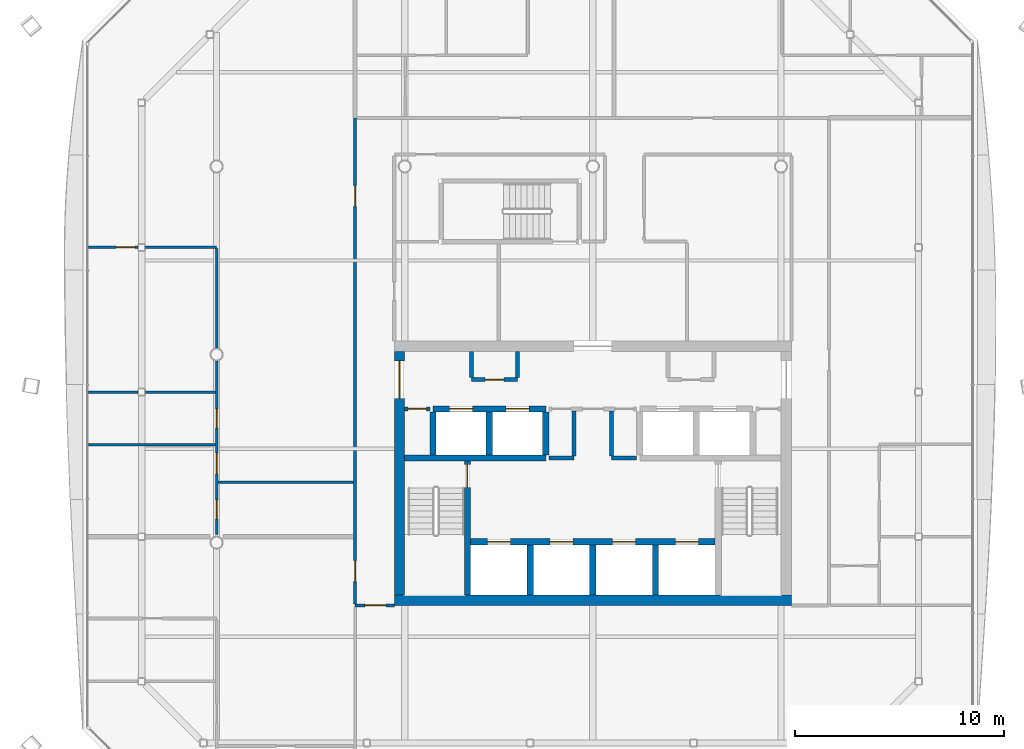
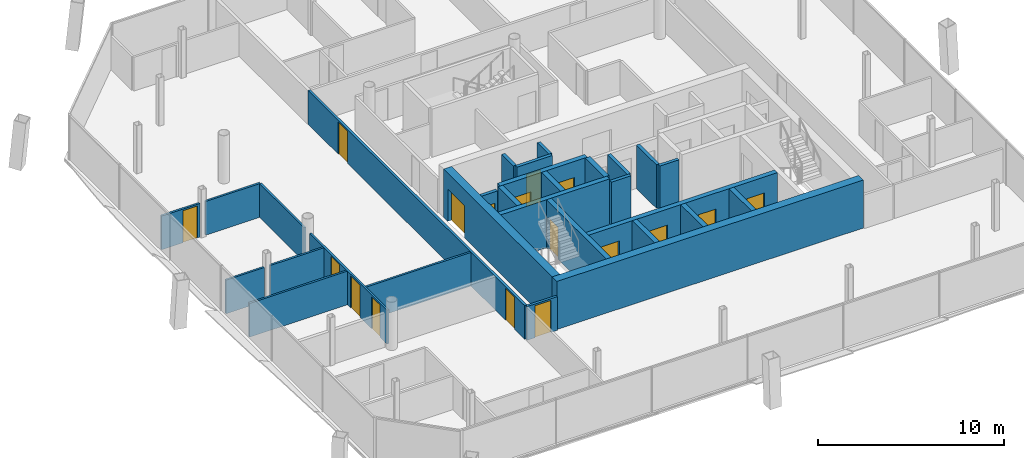
# One storey, part 14 of 20: 30 walls, 17 doors, 17 openings.
"""IFC4 building model written with IfcOpenShell, lengths in metres."""

from ifc_helpers import new_model, si_unit, direction, frame, frame_2d, origin, place, context, subcontext, project, spatial, rectangle, extrude, material, layer, layer_set, type_object, element, fill, save


model = new_model("IFC4")

# Units and contexts
model_context = context("Model", 3, precision=1e-05, world=origin(), true_north=direction((0.0, 1.0)))
body_context = subcontext(model_context, "Body", "Model", "MODEL_VIEW")
ifc_project = project(units=[si_unit("LENGTHUNIT", "METRE"), si_unit("AREAUNIT", "SQUARE_METRE"), si_unit("VOLUMEUNIT", "CUBIC_METRE"), si_unit("PLANEANGLEUNIT", "RADIAN"), si_unit("MASSUNIT", "GRAM", prefix="KILO")], contexts=[model_context])

# Site, building, storey
site_placement = place(None, origin())
site = spatial("IfcSite", under=ifc_project, at=site_placement, CompositionType="ELEMENT")
building_placement = place(site_placement, origin())
building = spatial("IfcBuilding", under=site, at=building_placement, Name="Tskaro Facet Tower", CompositionType="ELEMENT")
storey_placement = place(building_placement, frame((0.0, 0.0, 178.5)))
storey = spatial("IfcBuildingStorey", under=building, at=storey_placement, Name="L44", CompositionType="ELEMENT", Elevation=178.5)

# Wall, openings, doors
ifc_material_1 = material(Name="Concrete C60/75", Category="concrete")
ifc_layer_1 = layer(ifc_material_1, 0.300048828125, Name="Concrete C60/75")
ifc_layer_set_1 = layer_set([ifc_layer_1], Name="Concrete C60/75")
wall_type_1 = type_object("IfcWallType", Name="CORE-SHAFT", PredefinedType="SHEAR", material=ifc_layer_set_1)
wall_1_placement = place(storey_placement, frame((-5.85009765625, -8.949951171875, 0.0), z_axis=(0.0, 0.0, 1.0), x_axis=(1.0, 0.0, 0.0)))
wall_1 = element("IfcWall", 1, at=wall_1_placement, inside=storey, type_object=wall_type_1, Name="Shaft wall W009", PredefinedType="SHEAR", context=body_context, shape_type="SweptSolid", body=[
    extrude(rectangle(XDim=11.7001953125, YDim=0.300048828125, at=frame_2d((5.85009765625, 0.0))), origin(), (0.0, 0.0, 1.0), 3.14990234375),
])
opening_1_placement = place(wall_1_placement, frame((0.800048828125, 0.0, 0.0)))
opening_1 = element("IfcOpeningElement", 2, at=opening_1_placement, cuts=wall_1, Name="Opening LD-FF1", PredefinedType="OPENING", context=body_context, shape_type="SweptSolid", body=[
    extrude(rectangle(XDim=1.10009765625, YDim=2.10009765625, at=frame_2d((0.550048828125, 1.050048828125))), frame((0.0, 0.159912109375, 0.0), z_axis=(0.0, -1.0, 0.0), x_axis=(1.0, 0.0, 0.0)), (0.0, 0.0, 1.0), 0.320068359375),
])
opening_2_placement = place(wall_1_placement, frame((3.800048828125, 0.0, 0.0)))
opening_2 = element("IfcOpeningElement", 3, at=opening_2_placement, cuts=wall_1, Name="Opening LD-FF2", PredefinedType="OPENING", context=body_context, shape_type="SweptSolid", body=[
    extrude(rectangle(XDim=1.10009765625, YDim=2.10009765625, at=frame_2d((0.550048828125, 1.050048828125))), frame((0.0, 0.159912109375, 0.0), z_axis=(0.0, -1.0, 0.0), x_axis=(1.0, 0.0, 0.0)), (0.0, 0.0, 1.0), 0.320068359375),
])
opening_3_placement = place(wall_1_placement, frame((6.800048828125, 0.0, 0.0)))
opening_3 = element("IfcOpeningElement", 4, at=opening_3_placement, cuts=wall_1, Name="Opening LD-SV1", PredefinedType="OPENING", context=body_context, shape_type="SweptSolid", body=[
    extrude(rectangle(XDim=1.10009765625, YDim=2.10009765625, at=frame_2d((0.550048828125, 1.050048828125))), frame((0.0, 0.159912109375, 0.0), z_axis=(0.0, -1.0, 0.0), x_axis=(1.0, 0.0, 0.0)), (0.0, 0.0, 1.0), 0.320068359375),
])
opening_4_placement = place(wall_1_placement, frame((9.800048828125, 0.0, 0.0)))
opening_4 = element("IfcOpeningElement", 5, at=opening_4_placement, cuts=wall_1, Name="Opening LD-SV2", PredefinedType="OPENING", context=body_context, shape_type="SweptSolid", body=[
    extrude(rectangle(XDim=1.10009765625, YDim=2.10009765625, at=frame_2d((0.550048828125, 1.050048828125))), frame((0.0, 0.159912109375, 0.0), z_axis=(0.0, -1.0, 0.0), x_axis=(1.0, 0.0, 0.0)), (0.0, 0.0, 1.0), 0.320068359375),
])
ifc_material_2 = material(Name="Stainless steel", Category="steel")
door_type_1 = type_object("IfcDoorType", Name="D-LANDING", OperationType="NOTDEFINED", PredefinedType="DOOR", material=ifc_material_2)
door_1_placement = place(opening_1_placement, origin())
door_1 = element("IfcDoor", 6, at=door_1_placement, inside=storey, type_object=door_type_1, Name="Landing door FF1", OperationType="DOUBLE_DOOR_SLIDING", OverallHeight=2.10009765625, OverallWidth=1.10009765625, PredefinedType="DOOR", context=body_context, shape_type="SweptSolid", body=[
    extrude(rectangle(XDim=1.10009765625, YDim=2.10009765625, at=frame_2d((0.550048828125, 1.050048828125))), frame((0.0, 0.02490234375, 0.0), z_axis=(0.0, -1.0, 0.0), x_axis=(1.0, 0.0, 0.0)), (0.0, 0.0, 1.0), 0.050048828125),
])
fill(opening_1, door_1)
door_2_placement = place(opening_2_placement, origin())
door_2 = element("IfcDoor", 7, at=door_2_placement, inside=storey, type_object=door_type_1, Name="Landing door FF2", OperationType="DOUBLE_DOOR_SLIDING", OverallHeight=2.10009765625, OverallWidth=1.10009765625, PredefinedType="DOOR", context=body_context, shape_type="SweptSolid", body=[
    extrude(rectangle(XDim=1.10009765625, YDim=2.10009765625, at=frame_2d((0.550048828125, 1.050048828125))), frame((0.0, 0.02490234375, 0.0), z_axis=(0.0, -1.0, 0.0), x_axis=(1.0, 0.0, 0.0)), (0.0, 0.0, 1.0), 0.050048828125),
])
fill(opening_2, door_2)
door_3_placement = place(opening_3_placement, origin())
door_3 = element("IfcDoor", 8, at=door_3_placement, inside=storey, type_object=door_type_1, Name="Landing door SV1", OperationType="DOUBLE_DOOR_SLIDING", OverallHeight=2.10009765625, OverallWidth=1.10009765625, PredefinedType="DOOR", context=body_context, shape_type="SweptSolid", body=[
    extrude(rectangle(XDim=1.10009765625, YDim=2.10009765625, at=frame_2d((0.550048828125, 1.050048828125))), frame((0.0, 0.02490234375, 0.0), z_axis=(0.0, -1.0, 0.0), x_axis=(1.0, 0.0, 0.0)), (0.0, 0.0, 1.0), 0.050048828125),
])
fill(opening_3, door_3)
door_4_placement = place(opening_4_placement, origin())
door_4 = element("IfcDoor", 9, at=door_4_placement, inside=storey, type_object=door_type_1, Name="Landing door SV2", OperationType="DOUBLE_DOOR_SLIDING", OverallHeight=2.10009765625, OverallWidth=1.10009765625, PredefinedType="DOOR", context=body_context, shape_type="SweptSolid", body=[
    extrude(rectangle(XDim=1.10009765625, YDim=2.10009765625, at=frame_2d((0.550048828125, 1.050048828125))), frame((0.0, 0.02490234375, 0.0), z_axis=(0.0, -1.0, 0.0), x_axis=(1.0, 0.0, 0.0)), (0.0, 0.0, 1.0), 0.050048828125),
])
fill(opening_4, door_4)

# Wall
wall_2_placement = place(storey_placement, frame((-9.0, -4.949951171875, 0.0), z_axis=(0.0, 0.0, 1.0), x_axis=(1.0, 0.0, 0.0)))
element("IfcWall", 10, at=wall_2_placement, inside=storey, type_object=wall_type_1, Name="Shaft wall W016", PredefinedType="SHEAR", context=body_context, shape_type="SweptSolid", body=[
    extrude(rectangle(XDim=6.75, YDim=0.300048828125, at=frame_2d((3.375, 0.0))), origin(), (0.0, 0.0, 1.0), 3.14990234375),
])

# Wall, openings, doors
wall_3_placement = place(storey_placement, frame((-7.64990234375, -2.60009765625, 0.0), z_axis=(0.0, 0.0, 1.0), x_axis=(1.0, 0.0, 0.0)))
wall_3 = element("IfcWall", 11, at=wall_3_placement, inside=storey, type_object=wall_type_1, Name="Shaft wall W023", PredefinedType="SHEAR", context=body_context, shape_type="SweptSolid", body=[
    extrude(rectangle(XDim=5.39990234375, YDim=0.300048828125, at=frame_2d((2.699951171875, 0.0))), origin(), (0.0, 0.0, 1.0), 3.14990234375),
])
opening_5_placement = place(wall_3_placement, frame((0.800048828125, 0.0, 0.0)))
opening_5 = element("IfcOpeningElement", 12, at=opening_5_placement, cuts=wall_3, Name="Opening LD-HB1", PredefinedType="OPENING", context=body_context, shape_type="SweptSolid", body=[
    extrude(rectangle(XDim=1.10009765625, YDim=2.10009765625, at=frame_2d((0.550048828125, 1.050048828125))), frame((0.0, 0.159912109375, 0.0), z_axis=(0.0, -1.0, 0.0), x_axis=(1.0, 0.0, 0.0)), (0.0, 0.0, 1.0), 0.320068359375),
])
opening_6_placement = place(wall_3_placement, frame((3.5, 0.0, 0.0)))
opening_6 = element("IfcOpeningElement", 13, at=opening_6_placement, cuts=wall_3, Name="Opening LD-HB2", PredefinedType="OPENING", context=body_context, shape_type="SweptSolid", body=[
    extrude(rectangle(XDim=1.10009765625, YDim=2.10009765625, at=frame_2d((0.550048828125, 1.050048828125))), frame((0.0, 0.159912109375, 0.0), z_axis=(0.0, -1.0, 0.0), x_axis=(1.0, 0.0, 0.0)), (0.0, 0.0, 1.0), 0.320068359375),
])
door_5_placement = place(opening_5_placement, origin())
door_5 = element("IfcDoor", 14, at=door_5_placement, inside=storey, type_object=door_type_1, Name="Landing door HB1", OperationType="DOUBLE_DOOR_SLIDING", OverallHeight=2.10009765625, OverallWidth=1.10009765625, PredefinedType="DOOR", context=body_context, shape_type="SweptSolid", body=[
    extrude(rectangle(XDim=1.10009765625, YDim=2.10009765625, at=frame_2d((0.550048828125, 1.050048828125))), frame((0.0, 0.02490234375, 0.0), z_axis=(0.0, -1.0, 0.0), x_axis=(1.0, 0.0, 0.0)), (0.0, 0.0, 1.0), 0.050048828125),
])
fill(opening_5, door_5)
door_6_placement = place(opening_6_placement, origin())
door_6 = element("IfcDoor", 15, at=door_6_placement, inside=storey, type_object=door_type_1, Name="Landing door HB2", OperationType="DOUBLE_DOOR_SLIDING", OverallHeight=2.10009765625, OverallWidth=1.10009765625, PredefinedType="DOOR", context=body_context, shape_type="SweptSolid", body=[
    extrude(rectangle(XDim=1.10009765625, YDim=2.10009765625, at=frame_2d((0.550048828125, 1.050048828125))), frame((0.0, 0.02490234375, 0.0), z_axis=(0.0, -1.0, 0.0), x_axis=(1.0, 0.0, 0.0)), (0.0, 0.0, 1.0), 0.050048828125),
])
fill(opening_6, door_6)

# Wall
wall_4_placement = place(storey_placement, frame((-7.64990234375, -4.800048828125, 0.0), z_axis=(0.0, 0.0, 1.0), x_axis=(0.0, 1.0, 0.0)))
element("IfcWall", 16, at=wall_4_placement, inside=storey, type_object=wall_type_1, Name="Shaft wall W055", PredefinedType="SHEAR", context=body_context, shape_type="SweptSolid", body=[
    extrude(rectangle(XDim=2.050048828125, YDim=0.300048828125, at=frame_2d((1.02490234375, 0.0))), origin(), (0.0, 0.0, 1.0), 3.14990234375),
])

# Wall, opening, door
wall_5_placement = place(storey_placement, frame((-6.0, -11.5, 0.0), z_axis=(0.0, 0.0, 1.0), x_axis=(0.0, 1.0, 0.0)))
wall_5 = element("IfcWall", 17, at=wall_5_placement, inside=storey, type_object=wall_type_1, Name="Shaft wall W059", PredefinedType="SHEAR", context=body_context, shape_type="SweptSolid", body=[
    extrude(rectangle(XDim=6.39990234375, YDim=0.300048828125, at=frame_2d((3.199951171875, 0.0))), origin(), (0.0, 0.0, 1.0), 3.14990234375),
])
opening_7_placement = place(wall_5_placement, frame((5.14990234375, 0.0, 0.0)))
opening_7 = element("IfcOpeningElement", 18, at=opening_7_placement, cuts=wall_5, Name="Opening ST-1-D1", PredefinedType="OPENING", context=body_context, shape_type="SweptSolid", body=[
    extrude(rectangle(XDim=1.10009765625, YDim=2.10009765625, at=frame_2d((0.550048828125, 1.050048828125))), frame((0.0, 0.159912109375, 0.0), z_axis=(0.0, -1.0, 0.0), x_axis=(1.0, 0.0, 0.0)), (0.0, 0.0, 1.0), 0.320068359375),
])
ifc_material_3 = material(Name="Steel", Category="steel")
door_type_2 = type_object("IfcDoorType", Name="D-STAIR", OperationType="NOTDEFINED", PredefinedType="DOOR", material=ifc_material_3)
door_7_placement = place(opening_7_placement, origin())
door_7 = element("IfcDoor", 19, at=door_7_placement, inside=storey, type_object=door_type_2, Name="Stair door 1", OperationType="SINGLE_SWING_LEFT", OverallHeight=2.10009765625, OverallWidth=1.10009765625, PredefinedType="DOOR", context=body_context, shape_type="SweptSolid", body=[
    extrude(rectangle(XDim=1.10009765625, YDim=2.10009765625, at=frame_2d((0.550048828125, 1.050048828125))), frame((0.0, 0.02490234375, 0.0), z_axis=(0.0, -1.0, 0.0), x_axis=(1.0, 0.0, 0.0)), (0.0, 0.0, 1.0), 0.050048828125),
])
fill(opening_7, door_7)

# Walls
wall_6_placement = place(storey_placement, frame((-4.949951171875, -4.800048828125, 0.0), z_axis=(0.0, 0.0, 1.0), x_axis=(0.0, 1.0, 0.0)))
element("IfcWall", 20, at=wall_6_placement, inside=storey, type_object=wall_type_1, Name="Shaft wall W061", PredefinedType="SHEAR", context=body_context, shape_type="SweptSolid", body=[
    extrude(rectangle(XDim=2.050048828125, YDim=0.300048828125, at=frame_2d((1.02490234375, 0.0))), origin(), (0.0, 0.0, 1.0), 3.14990234375),
])
wall_7_placement = place(storey_placement, frame((-3.0, -11.5, 0.0), z_axis=(0.0, 0.0, 1.0), x_axis=(0.0, 1.0, 0.0)))
element("IfcWall", 21, at=wall_7_placement, inside=storey, type_object=wall_type_1, Name="Shaft wall W065", PredefinedType="SHEAR", context=body_context, shape_type="SweptSolid", body=[
    extrude(rectangle(XDim=2.39990234375, YDim=0.300048828125, at=frame_2d((1.199951171875, 0.0))), origin(), (0.0, 0.0, 1.0), 3.14990234375),
])
wall_8_placement = place(storey_placement, frame((-2.25, -4.800048828125, 0.0), z_axis=(0.0, 0.0, 1.0), x_axis=(0.0, 1.0, 0.0)))
element("IfcWall", 22, at=wall_8_placement, inside=storey, type_object=wall_type_1, Name="Shaft wall W066", PredefinedType="SHEAR", context=body_context, shape_type="SweptSolid", body=[
    extrude(rectangle(XDim=2.050048828125, YDim=0.300048828125, at=frame_2d((1.02490234375, 0.0))), origin(), (0.0, 0.0, 1.0), 3.14990234375),
])
for number, where, z_axis, x_axis, name in (
    (23, (0.0, -11.5, 0.0), (0.0, 0.0, 1.0), (0.0, 1.0, 0.0), "Shaft wall W069"),
    (24, (3.0, -11.5, 0.0), (0.0, 0.0, 1.0), (0.0, 1.0, 0.0), "Shaft wall W076"),
):
    element("IfcWall", number, at=place(storey_placement, frame(where, z_axis=z_axis, x_axis=x_axis)), inside=storey, type_object=wall_type_1, Name=name, PredefinedType="SHEAR", context=body_context, shape_type="SweptSolid", body=[
        extrude(rectangle(XDim=2.39990234375, YDim=0.300048828125, at=frame_2d((1.199951171875, 0.0))), origin(), (0.0, 0.0, 1.0), 3.14990234375),
    ])
ifc_material_4 = material(Name="Concrete C20/25", Category="concrete")
ifc_layer_2 = layer(ifc_material_4, 0.199951171875, Name="Concrete C20/25")
ifc_layer_set_2 = layer_set([ifc_layer_2], Name="Concrete C20/25")
wall_type_2 = type_object("IfcWallType", Name="CORE-WALL", PredefinedType="SOLIDWALL", material=ifc_layer_set_2)
for number, where, z_axis, x_axis, name in (
    (25, (-2.10009765625, -4.949951171875, 0.0), (0.0, 0.0, 1.0), (1.0, 0.0, 0.0), "Core room wall W017"),
    (26, (0.89990234375, -4.949951171875, 0.0), (0.0, 0.0, 1.0), (1.0, 0.0, 0.0), "Core room wall W018"),
):
    element("IfcWall", number, at=place(storey_placement, frame(where, z_axis=z_axis, x_axis=x_axis)), inside=storey, type_object=wall_type_2, Name=name, PredefinedType="SOLIDWALL", context=body_context, shape_type="SweptSolid", body=[
        extrude(rectangle(XDim=1.2001953125, YDim=0.199951171875, at=frame_2d((0.60009765625, 0.0))), origin(), (0.0, 0.0, 1.0), 2.85009765625),
    ])

# Wall, opening, door
wall_9_placement = place(storey_placement, frame((-7.800048828125, -2.60009765625, 0.0), z_axis=(0.0, 0.0, 1.0), x_axis=(-1.0, 0.0, 0.0)))
wall_9 = element("IfcWall", 27, at=wall_9_placement, inside=storey, type_object=wall_type_2, Name="Core room wall W022", PredefinedType="SOLIDWALL", context=body_context, shape_type="SweptSolid", body=[
    extrude(rectangle(XDim=1.199951171875, YDim=0.199951171875, at=frame_2d((0.60009765625, 0.0))), origin(), (0.0, 0.0, 1.0), 2.85009765625),
])
opening_8_placement = place(wall_9_placement, frame((0.14990234375, 0.0, 0.0)))
opening_8 = element("IfcOpeningElement", 28, at=opening_8_placement, cuts=wall_9, Name="Opening T12-D12", PredefinedType="OPENING", context=body_context, shape_type="SweptSolid", body=[
    extrude(rectangle(XDim=0.89990234375, YDim=2.10009765625, at=frame_2d((0.449951171875, 1.050048828125))), frame((0.0, 0.10986328125, 0.0), z_axis=(0.0, -1.0, 0.0), x_axis=(1.0, 0.0, 0.0)), (0.0, 0.0, 1.0), 0.219970703125),
])
ifc_material_5 = material(Name="Timber", Category="wood")
door_type_3 = type_object("IfcDoorType", Name="D-ROOM", OperationType="NOTDEFINED", PredefinedType="DOOR", material=ifc_material_5)
door_8_placement = place(opening_8_placement, origin())
door_8 = element("IfcDoor", 29, at=door_8_placement, inside=storey, type_object=door_type_3, Name="Door T12-D12", OperationType="SINGLE_SWING_RIGHT", OverallHeight=2.10009765625, OverallWidth=0.89990234375, PredefinedType="DOOR", context=body_context, shape_type="SweptSolid", body=[
    extrude(rectangle(XDim=0.89990234375, YDim=2.10009765625, at=frame_2d((0.449951171875, 1.050048828125))), frame((0.0, 0.02490234375, 0.0), z_axis=(0.0, -1.0, 0.0), x_axis=(1.0, 0.0, 0.0)), (0.0, 0.0, 1.0), 0.050048828125),
])
fill(opening_8, door_8)

wall_10_placement = place(storey_placement, frame((-5.800048828125, -1.199951171875, 0.0), z_axis=(0.0, 0.0, 1.0), x_axis=(1.0, 0.0, 0.0)))
wall_10 = element("IfcWall", 30, at=wall_10_placement, inside=storey, type_object=wall_type_2, Name="Core room wall W029", PredefinedType="SOLIDWALL", context=body_context, shape_type="SweptSolid", body=[
    extrude(rectangle(XDim=2.199951171875, YDim=0.199951171875, at=frame_2d((1.10009765625, 0.0))), origin(), (0.0, 0.0, 1.0), 2.85009765625),
])
opening_9_placement = place(wall_10_placement, frame((0.64990234375, 0.0, 0.0)))
opening_9 = element("IfcOpeningElement", 31, at=opening_9_placement, cuts=wall_10, Name="Opening T12-D17", PredefinedType="OPENING", context=body_context, shape_type="SweptSolid", body=[
    extrude(rectangle(XDim=0.89990234375, YDim=2.10009765625, at=frame_2d((0.449951171875, 1.050048828125))), frame((0.0, 0.10986328125, 0.0), z_axis=(0.0, -1.0, 0.0), x_axis=(1.0, 0.0, 0.0)), (0.0, 0.0, 1.0), 0.219970703125),
])
door_9_placement = place(opening_9_placement, origin())
door_9 = element("IfcDoor", 32, at=door_9_placement, inside=storey, type_object=door_type_3, Name="Door T12-D17", OperationType="SINGLE_SWING_LEFT", OverallHeight=2.10009765625, OverallWidth=0.89990234375, PredefinedType="DOOR", context=body_context, shape_type="SweptSolid", body=[
    extrude(rectangle(XDim=0.89990234375, YDim=2.10009765625, at=frame_2d((0.449951171875, 1.050048828125))), frame((0.0, 0.02490234375, 0.0), z_axis=(0.0, -1.0, 0.0), x_axis=(1.0, 0.0, 0.0)), (0.0, 0.0, 1.0), 0.050048828125),
])
fill(opening_9, door_9)

# Walls
for number, where, z_axis, x_axis, name in (
    (33, (-5.800048828125, -1.10009765625, 0.0), (0.0, 0.0, 1.0), (0.0, 1.0, 0.0), "Core room wall W060"),
    (34, (-3.60009765625, -1.10009765625, 0.0), (0.0, 0.0, 1.0), (0.0, 1.0, 0.0), "Core room wall W063"),
):
    element("IfcWall", number, at=place(storey_placement, frame(where, z_axis=z_axis, x_axis=x_axis)), inside=storey, type_object=wall_type_2, Name=name, PredefinedType="SOLIDWALL", context=body_context, shape_type="SweptSolid", body=[
        extrude(rectangle(XDim=1.25, YDim=0.199951171875, at=frame_2d((0.625, 0.0))), origin(), (0.0, 0.0, 1.0), 2.85009765625),
    ])
for number, where, z_axis, x_axis, name in (
    (35, (-0.89990234375, -4.85009765625, 0.0), (0.0, 0.0, 1.0), (0.0, 1.0, 0.0), "Core room wall W067"),
    (36, (0.89990234375, -4.85009765625, 0.0), (0.0, 0.0, 1.0), (0.0, 1.0, 0.0), "Core room wall W071"),
):
    element("IfcWall", number, at=place(storey_placement, frame(where, z_axis=z_axis, x_axis=x_axis)), inside=storey, type_object=wall_type_2, Name=name, PredefinedType="SOLIDWALL", context=body_context, shape_type="SweptSolid", body=[
        extrude(rectangle(XDim=2.150146484375, YDim=0.199951171875, at=frame_2d((1.0751953125, 0.0))), origin(), (0.0, 0.0, 1.0), 2.85009765625),
    ])
ifc_material_6 = material(Name="Concrete C40/50", Category="concrete")
ifc_layer_3 = layer(ifc_material_6, 0.5, Name="Concrete C40/50")
ifc_layer_set_3 = layer_set([ifc_layer_3], Name="Concrete C40/50")
wall_type_3 = type_object("IfcWallType", Name="Core wall 500", PredefinedType="SHEAR", material=ifc_layer_set_3)
wall_11_placement = place(storey_placement, frame((-9.5, -11.75, 0.0), z_axis=(0.0, 0.0, 1.0), x_axis=(1.0, 0.0, 0.0)))
element("IfcWall", 37, at=wall_11_placement, inside=storey, type_object=wall_type_3, Name="Core wall CW-Z3S", PredefinedType="SHEAR", context=body_context, shape_type="SweptSolid", body=[
    extrude(rectangle(XDim=19.0, YDim=0.5, at=frame_2d((9.5, 0.0))), origin(), (0.0, 0.0, 1.0), 3.14990234375),
])

# Wall, opening, door
wall_12_placement = place(storey_placement, frame((-9.25, -11.5, 0.0), z_axis=(0.0, 0.0, 1.0), x_axis=(0.0, 1.0, 0.0)))
wall_12 = element("IfcWall", 38, at=wall_12_placement, inside=storey, type_object=wall_type_3, Name="Core wall CW-Z3W", PredefinedType="SHEAR", context=body_context, shape_type="SweptSolid", body=[
    extrude(rectangle(XDim=11.64990234375, YDim=0.5, at=frame_2d((5.824951171875, 0.0))), origin(), (0.0, 0.0, 1.0), 3.14990234375),
])
opening_10_placement = place(wall_12_placement, frame((9.39990234375, 0.0, 0.0)))
opening_10 = element("IfcOpeningElement", 39, at=opening_10_placement, cuts=wall_12, Name="Opening T12-D16", PredefinedType="OPENING", context=body_context, shape_type="SweptSolid", body=[
    extrude(rectangle(XDim=1.800048828125, YDim=2.10009765625, at=frame_2d((0.89990234375, 1.050048828125))), frame((0.0, 0.260009765625, 0.0), z_axis=(0.0, -1.0, 0.0), x_axis=(1.0, 0.0, 0.0)), (0.0, 0.0, 1.0), 0.52001953125),
])
door_type_4 = type_object("IfcDoorType", Name="D-CORE-PAIR", OperationType="NOTDEFINED", PredefinedType="DOOR", material=ifc_material_3)
door_10_placement = place(opening_10_placement, origin())
door_10 = element("IfcDoor", 40, at=door_10_placement, inside=storey, type_object=door_type_4, Name="Door T12-D16", OperationType="DOUBLE_DOOR_SINGLE_SWING", OverallHeight=2.10009765625, OverallWidth=1.800048828125, PredefinedType="DOOR", context=body_context, shape_type="SweptSolid", body=[
    extrude(rectangle(XDim=1.800048828125, YDim=2.10009765625, at=frame_2d((0.89990234375, 1.050048828125))), frame((0.0, 0.02490234375, 0.0), z_axis=(0.0, -1.0, 0.0), x_axis=(1.0, 0.0, 0.0)), (0.0, 0.0, 1.0), 0.050048828125),
])
fill(opening_10, door_10)

# Walls
ifc_material_7 = material(Name="Gypsum board on steel studs", Category="steel")
ifc_layer_4 = layer(ifc_material_7, 0.125, Name="Gypsum board on steel studs")
ifc_layer_set_4 = layer_set([ifc_layer_4], Name="Gypsum board on steel studs")
wall_type_4 = type_object("IfcWallType", Name="PART", PredefinedType="PARTITIONING", material=ifc_layer_set_4)
wall_13_placement = place(storey_placement, frame((-17.9375, -6.114990234375, 0.0), z_axis=(0.0, 0.0, 1.0), x_axis=(1.0, 0.0, 0.0)))
element("IfcWall", 41, at=wall_13_placement, inside=storey, type_object=wall_type_4, Name="Partition W015", PredefinedType="PARTITIONING", context=body_context, shape_type="SweptSolid", body=[
    extrude(rectangle(XDim=6.487548828125, YDim=0.125, at=frame_2d((3.24365234375, 0.0))), origin(), (0.0, 0.0, 1.0), 2.2099609375),
])
wall_14_placement = place(storey_placement, frame((-24.125, -4.31494140625, 0.0), z_axis=(0.0, 0.0, 1.0), x_axis=(1.0, 0.0, 0.0)))
element("IfcWall", 42, at=wall_14_placement, inside=storey, type_object=wall_type_4, Name="Partition W020", PredefinedType="PARTITIONING", context=body_context, shape_type="SweptSolid", body=[
    extrude(rectangle(XDim=6.0625, YDim=0.125, at=frame_2d((3.03125, 0.0))), origin(), (0.0, 0.0, 1.0), 2.2099609375),
])
wall_15_placement = place(storey_placement, frame((-24.125, -1.794921875, 0.0), z_axis=(0.0, 0.0, 1.0), x_axis=(1.0, 0.0, 0.0)))
element("IfcWall", 43, at=wall_15_placement, inside=storey, type_object=wall_type_4, Name="Partition W027", PredefinedType="PARTITIONING", context=body_context, shape_type="SweptSolid", body=[
    extrude(rectangle(XDim=2.366943359375, YDim=0.125, at=frame_2d((1.18359375, 0.0))), origin(), (0.0, 0.0, 1.0), 2.2099609375),
])
wall_16_placement = place(storey_placement, frame((-21.407958984375, -1.794921875, 0.0), z_axis=(0.0, 0.0, 1.0), x_axis=(1.0, 0.0, 0.0)))
element("IfcWall", 44, at=wall_16_placement, inside=storey, type_object=wall_type_4, Name="Partition W028", PredefinedType="PARTITIONING", context=body_context, shape_type="SweptSolid", body=[
    extrude(rectangle(XDim=3.345458984375, YDim=0.125, at=frame_2d((1.6728515625, 0.0))), origin(), (0.0, 0.0, 1.0), 2.2099609375),
])

# Wall, opening, door
wall_17_placement = place(storey_placement, frame((-21.758056640625, 5.125, 0.0), z_axis=(0.0, 0.0, 1.0), x_axis=(-1.0, 0.0, 0.0)))
wall_17 = element("IfcWall", 45, at=wall_17_placement, inside=storey, type_object=wall_type_4, Name="Partition W031", PredefinedType="PARTITIONING", context=body_context, shape_type="SweptSolid", body=[
    extrude(rectangle(XDim=2.366943359375, YDim=0.125, at=frame_2d((1.18359375, 0.0))), origin(), (0.0, 0.0, 1.0), 2.2099609375),
])
opening_11_placement = place(wall_17_placement, frame((0.14990234375, 0.0, 0.0)))
opening_11 = element("IfcOpeningElement", 46, at=opening_11_placement, cuts=wall_17, Name="Opening T12-D23", PredefinedType="OPENING", context=body_context, shape_type="SweptSolid", body=[
    extrude(rectangle(XDim=0.89990234375, YDim=2.10009765625, at=frame_2d((0.449951171875, 1.050048828125))), frame((0.0, 0.072509765625, 0.0), z_axis=(0.0, -1.0, 0.0), x_axis=(1.0, 0.0, 0.0)), (0.0, 0.0, 1.0), 0.14501953125),
])
door_11_placement = place(opening_11_placement, origin())
door_11 = element("IfcDoor", 47, at=door_11_placement, inside=storey, type_object=door_type_3, Name="Door T12-D23", OperationType="SINGLE_SWING_RIGHT", OverallHeight=2.10009765625, OverallWidth=0.89990234375, PredefinedType="DOOR", context=body_context, shape_type="SweptSolid", body=[
    extrude(rectangle(XDim=0.89990234375, YDim=2.10009765625, at=frame_2d((0.449951171875, 1.050048828125))), frame((0.0, 0.02490234375, 0.0), z_axis=(0.0, -1.0, 0.0), x_axis=(1.0, 0.0, 0.0)), (0.0, 0.0, 1.0), 0.050048828125),
])
fill(opening_11, door_11)

# Wall
wall_18_placement = place(storey_placement, frame((-21.407958984375, 5.125, 0.0), z_axis=(0.0, 0.0, 1.0), x_axis=(1.0, 0.0, 0.0)))
element("IfcWall", 48, at=wall_18_placement, inside=storey, type_object=wall_type_4, Name="Partition W032", PredefinedType="PARTITIONING", context=body_context, shape_type="SweptSolid", body=[
    extrude(rectangle(XDim=3.407958984375, YDim=0.125, at=frame_2d((1.7041015625, 0.0))), origin(), (0.0, 0.0, 1.0), 2.2099609375),
])

# Wall, openings, doors
wall_19_placement = place(storey_placement, frame((-18.0, -8.614990234375, 0.0), z_axis=(0.0, 0.0, 1.0), x_axis=(0.0, 1.0, 0.0)))
wall_19 = element("IfcWall", 49, at=wall_19_placement, inside=storey, type_object=wall_type_4, Name="Partition W047", PredefinedType="PARTITIONING", context=body_context, shape_type="SweptSolid", body=[
    extrude(rectangle(XDim=8.31005859375, YDim=0.125, at=frame_2d((4.155029296875, 0.0))), origin(), (0.0, 0.0, 1.0), 2.2099609375),
])
opening_12_placement = place(wall_19_placement, frame((5.110107421875, 0.0, 0.0)))
opening_12 = element("IfcOpeningElement", 50, at=opening_12_placement, cuts=wall_19, Name="Opening T12-D11", PredefinedType="OPENING", context=body_context, shape_type="SweptSolid", body=[
    extrude(rectangle(XDim=0.89990234375, YDim=2.10009765625, at=frame_2d((0.449951171875, 1.050048828125))), frame((0.0, 0.072509765625, 0.0), z_axis=(0.0, -1.0, 0.0), x_axis=(1.0, 0.0, 0.0)), (0.0, 0.0, 1.0), 0.14501953125),
])
opening_13_placement = place(wall_19_placement, frame((2.89990234375, 0.0, 0.0)))
opening_13 = element("IfcOpeningElement", 51, at=opening_13_placement, cuts=wall_19, Name="Opening T12-D10", PredefinedType="OPENING", context=body_context, shape_type="SweptSolid", body=[
    extrude(rectangle(XDim=1.0, YDim=2.10009765625, at=frame_2d((0.5, 1.050048828125))), frame((0.0, 0.072509765625, 0.0), z_axis=(0.0, -1.0, 0.0), x_axis=(1.0, 0.0, 0.0)), (0.0, 0.0, 1.0), 0.14501953125),
])
opening_14_placement = place(wall_19_placement, frame((0.75, 0.0, 0.0)))
opening_14 = element("IfcOpeningElement", 52, at=opening_14_placement, cuts=wall_19, Name="Opening T12-D08", PredefinedType="OPENING", context=body_context, shape_type="SweptSolid", body=[
    extrude(rectangle(XDim=0.89990234375, YDim=2.10009765625, at=frame_2d((0.449951171875, 1.050048828125))), frame((0.0, 0.072509765625, 0.0), z_axis=(0.0, -1.0, 0.0), x_axis=(1.0, 0.0, 0.0)), (0.0, 0.0, 1.0), 0.14501953125),
])
door_12_placement = place(opening_12_placement, origin())
door_12 = element("IfcDoor", 53, at=door_12_placement, inside=storey, type_object=door_type_3, Name="Door T12-D11", OperationType="SINGLE_SWING_LEFT", OverallHeight=2.10009765625, OverallWidth=0.89990234375, PredefinedType="DOOR", context=body_context, shape_type="SweptSolid", body=[
    extrude(rectangle(XDim=0.89990234375, YDim=2.10009765625, at=frame_2d((0.449951171875, 1.050048828125))), frame((0.0, 0.02490234375, 0.0), z_axis=(0.0, -1.0, 0.0), x_axis=(1.0, 0.0, 0.0)), (0.0, 0.0, 1.0), 0.050048828125),
])
fill(opening_12, door_12)
door_13_placement = place(opening_14_placement, origin())
door_13 = element("IfcDoor", 54, at=door_13_placement, inside=storey, type_object=door_type_3, Name="Door T12-D08", OperationType="SINGLE_SWING_LEFT", OverallHeight=2.10009765625, OverallWidth=0.89990234375, PredefinedType="DOOR", context=body_context, shape_type="SweptSolid", body=[
    extrude(rectangle(XDim=0.89990234375, YDim=2.10009765625, at=frame_2d((0.449951171875, 1.050048828125))), frame((0.0, 0.02490234375, 0.0), z_axis=(0.0, -1.0, 0.0), x_axis=(1.0, 0.0, 0.0)), (0.0, 0.0, 1.0), 0.050048828125),
])
fill(opening_14, door_13)
door_type_5 = type_object("IfcDoorType", Name="D-ROOM-WIDE", OperationType="NOTDEFINED", PredefinedType="DOOR", material=ifc_material_5)
door_14_placement = place(opening_13_placement, origin())
door_14 = element("IfcDoor", 55, at=door_14_placement, inside=storey, type_object=door_type_5, Name="Door T12-D10", OperationType="SINGLE_SWING_RIGHT", OverallHeight=2.10009765625, OverallWidth=1.0, PredefinedType="DOOR", context=body_context, shape_type="SweptSolid", body=[
    extrude(rectangle(XDim=1.0, YDim=2.10009765625, at=frame_2d((0.5, 1.050048828125))), frame((0.0, 0.02490234375, 0.0), z_axis=(0.0, -1.0, 0.0), x_axis=(1.0, 0.0, 0.0)), (0.0, 0.0, 1.0), 0.050048828125),
])
fill(opening_13, door_14)

# Wall
wall_20_placement = place(storey_placement, frame((-18.0, 0.304931640625, 0.0), z_axis=(0.0, 0.0, 1.0), x_axis=(0.0, 1.0, 0.0)))
element("IfcWall", 56, at=wall_20_placement, inside=storey, type_object=wall_type_4, Name="Partition W048", PredefinedType="PARTITIONING", context=body_context, shape_type="SweptSolid", body=[
    extrude(rectangle(XDim=4.757568359375, YDim=0.125, at=frame_2d((2.37890625, 0.0))), origin(), (0.0, 0.0, 1.0), 2.2099609375),
])

# Wall, opening, door
ifc_layer_5 = layer(ifc_material_7, 0.14990234375, Name="Gypsum board on steel studs")
ifc_layer_set_5 = layer_set([ifc_layer_5], Name="Gypsum board on steel studs")
wall_type_5 = type_object("IfcWallType", Name="PART-CORR", PredefinedType="PARTITIONING", material=ifc_layer_set_5)
wall_21_placement = place(storey_placement, frame((-9.5, -12.0, 0.0), z_axis=(0.0, 0.0, 1.0), x_axis=(-1.0, 0.0, 0.0)))
wall_21 = element("IfcWall", 57, at=wall_21_placement, inside=storey, type_object=wall_type_5, Name="Corridor wall W005", PredefinedType="PARTITIONING", context=body_context, shape_type="SweptSolid", body=[
    extrude(rectangle(XDim=1.875, YDim=0.14990234375, at=frame_2d((0.9375, 0.0))), origin(), (0.0, 0.0, 1.0), 2.2099609375),
])
opening_15_placement = place(wall_21_placement, frame((0.39990234375, 0.0, 0.0)))
opening_15 = element("IfcOpeningElement", 58, at=opening_15_placement, cuts=wall_21, Name="Opening T12-D04", PredefinedType="OPENING", context=body_context, shape_type="SweptSolid", body=[
    extrude(rectangle(XDim=1.0, YDim=2.10009765625, at=frame_2d((0.5, 1.050048828125))), frame((0.0, 0.0849609375, 0.0), z_axis=(0.0, -1.0, 0.0), x_axis=(1.0, 0.0, 0.0)), (0.0, 0.0, 1.0), 0.169921875),
])
door_15_placement = place(opening_15_placement, origin())
door_15 = element("IfcDoor", 59, at=door_15_placement, inside=storey, type_object=door_type_5, Name="Door T12-D04", OperationType="SINGLE_SWING_RIGHT", OverallHeight=2.10009765625, OverallWidth=1.0, PredefinedType="DOOR", context=body_context, shape_type="SweptSolid", body=[
    extrude(rectangle(XDim=1.0, YDim=2.10009765625, at=frame_2d((0.5, 1.050048828125))), frame((0.0, 0.02490234375, 0.0), z_axis=(0.0, -1.0, 0.0), x_axis=(1.0, 0.0, 0.0)), (0.0, 0.0, 1.0), 0.050048828125),
])
fill(opening_15, door_15)

# Wall, openings, doors
wall_22_placement = place(storey_placement, frame((-11.375, -11.925048828125, 0.0), z_axis=(0.0, 0.0, 1.0), x_axis=(0.0, 1.0, 0.0)))
wall_22 = element("IfcWall", 60, at=wall_22_placement, inside=storey, type_object=wall_type_5, Name="Corridor wall W051", PredefinedType="PARTITIONING", context=body_context, shape_type="SweptSolid", body=[
    extrude(rectangle(XDim=23.25, YDim=0.14990234375, at=frame_2d((11.625, 0.0))), origin(), (0.0, 0.0, 1.0), 2.2099609375),
])
opening_16_placement = place(wall_22_placement, frame((1.0673828125, 0.0, 0.0)))
opening_16 = element("IfcOpeningElement", 61, at=opening_16_placement, cuts=wall_22, Name="Opening T12-D05", PredefinedType="OPENING", context=body_context, shape_type="SweptSolid", body=[
    extrude(rectangle(XDim=1.0, YDim=2.10009765625, at=frame_2d((0.5, 1.050048828125))), frame((0.0, 0.0849609375, 0.0), z_axis=(0.0, -1.0, 0.0), x_axis=(1.0, 0.0, 0.0)), (0.0, 0.0, 1.0), 0.169921875),
])
opening_17_placement = place(wall_22_placement, frame((19.010009765625, 0.0, 0.0)))
opening_17 = element("IfcOpeningElement", 62, at=opening_17_placement, cuts=wall_22, Name="Opening T12-D25", PredefinedType="OPENING", context=body_context, shape_type="SweptSolid", body=[
    extrude(rectangle(XDim=1.0, YDim=2.10009765625, at=frame_2d((0.5, 1.050048828125))), frame((0.0, 0.0849609375, 0.0), z_axis=(0.0, -1.0, 0.0), x_axis=(1.0, 0.0, 0.0)), (0.0, 0.0, 1.0), 0.169921875),
])
door_type_6 = type_object("IfcDoorType", Name="D-FLAT-ENTRY", OperationType="NOTDEFINED", PredefinedType="DOOR", material=ifc_material_5)
door_16_placement = place(opening_16_placement, origin())
door_16 = element("IfcDoor", 63, at=door_16_placement, inside=storey, type_object=door_type_6, Name="Door T12-D05", OperationType="SINGLE_SWING_LEFT", OverallHeight=2.10009765625, OverallWidth=1.0, PredefinedType="DOOR", context=body_context, shape_type="SweptSolid", body=[
    extrude(rectangle(XDim=1.0, YDim=2.10009765625, at=frame_2d((0.5, 1.050048828125))), frame((0.0, 0.02490234375, 0.0), z_axis=(0.0, -1.0, 0.0), x_axis=(1.0, 0.0, 0.0)), (0.0, 0.0, 1.0), 0.050048828125),
])
fill(opening_16, door_16)
door_17_placement = place(opening_17_placement, origin())
door_17 = element("IfcDoor", 64, at=door_17_placement, inside=storey, type_object=door_type_6, Name="Door T12-D25", OperationType="SINGLE_SWING_LEFT", OverallHeight=2.10009765625, OverallWidth=1.0, PredefinedType="DOOR", context=body_context, shape_type="SweptSolid", body=[
    extrude(rectangle(XDim=1.0, YDim=2.10009765625, at=frame_2d((0.5, 1.050048828125))), frame((0.0, 0.02490234375, 0.0), z_axis=(0.0, -1.0, 0.0), x_axis=(1.0, 0.0, 0.0)), (0.0, 0.0, 1.0), 0.050048828125),
])
fill(opening_17, door_17)

save(model, "model.ifc")
